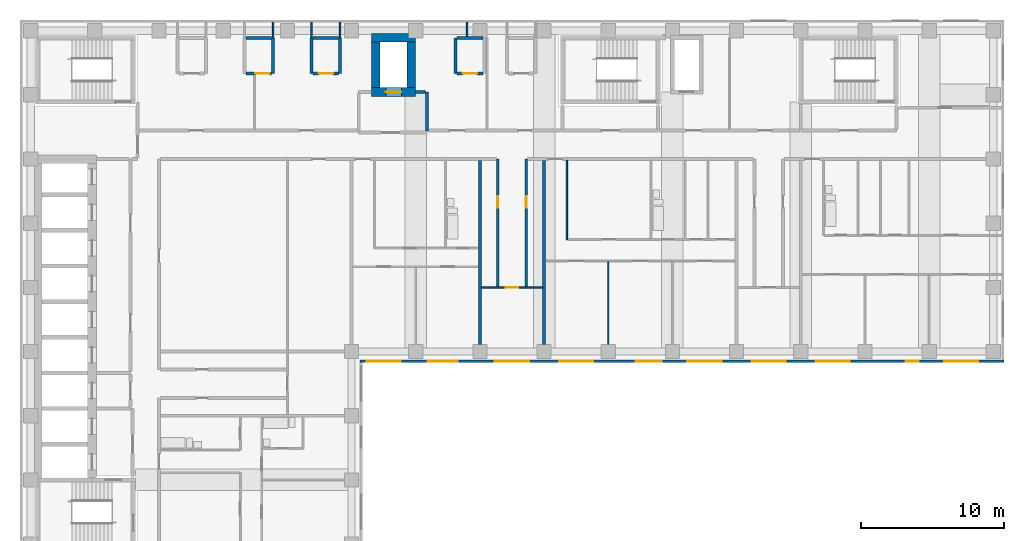
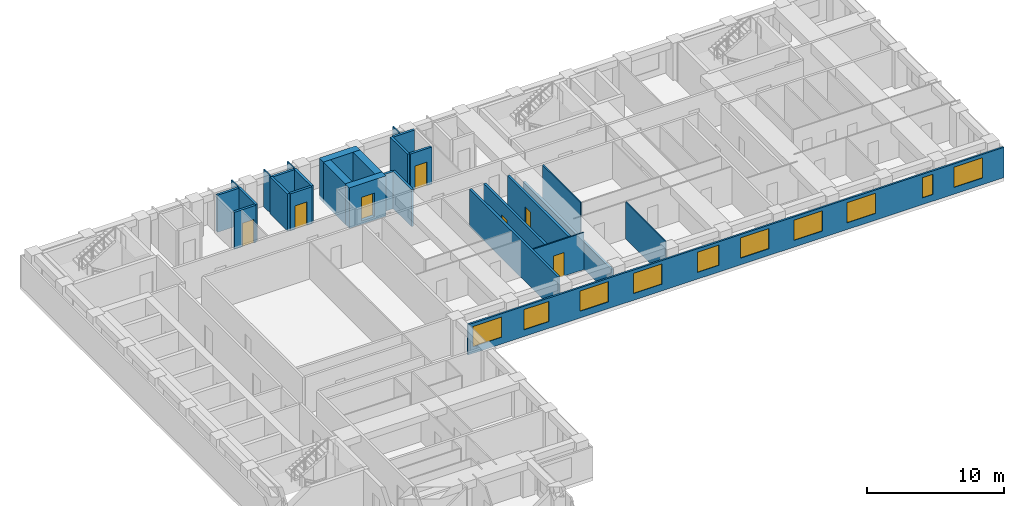
# One storey, part 6 of 12: 28 walls, 10 windows, 7 doors, 17 openings.
"""IFC4 building model written with IfcOpenShell, lengths in metres."""

import ifcopenshell
import ifcopenshell.guid

model = None  # the IFC model being written
_history = None  # IfcOwnerHistory: only IFC2X3 demands one
_inside = {}  # id of a spatial element -> (the spatial element, [elements in it])
_under = {}  # id of a project, library or spatial element -> (it, [spatial elements below it])
_declared = {}  # id of a project -> (the project, [libraries it declares])
_typed = {}  # id of a type object -> (the type object, [elements of that type])
_made_of = {}  # id of a material, layer set ... -> (it, [elements and type objects made of it])


def new_model(schema):
    """Start an empty IFC model of exactly this schema.

    Asked for "IFC4X3", IfcOpenShell would pick the latest addendum, in which some entities
    have other attributes; the version numbers below select the first issue.
    IFC2X3 requires an IfcOwnerHistory on every rooted entity: one is made here for all.
    """
    global model, _history
    if schema == "IFC4X3":
        model = ifcopenshell.file(schema_version=(4, 3, 0, 0))
    else:
        model = ifcopenshell.file(schema=schema)
    _inside.clear()
    _under.clear()
    _declared.clear()
    _typed.clear()
    _made_of.clear()
    _history = None
    if model.schema == "IFC2X3":
        org = make("IfcOrganization", Name="unknown")
        user = make(
            "IfcPersonAndOrganization",
            ThePerson=make("IfcPerson", FamilyName="unknown"),
            TheOrganization=org,
        )
        app = make(
            "IfcApplication",
            ApplicationDeveloper=org,
            Version="unknown",
            ApplicationFullName="unknown",
            ApplicationIdentifier="unknown",
        )
        _history = make(
            "IfcOwnerHistory",
            OwningUser=user,
            OwningApplication=app,
            ChangeAction="ADDED",
            CreationDate=0,
        )
    return model


def make(cls, **values):
    """One entity of the class cls with the attributes given. An attribute that is None is left unset."""
    return model.create_entity(
        cls, **{name: value for name, value in values.items() if value is not None}
    )


def rooted(cls, **values):
    """An entity with a GlobalId (a new one), such as an element, a storey or a relation."""
    return make(cls, GlobalId=ifcopenshell.guid.new(), OwnerHistory=_history, **values)


def si_unit(unit_type, name, prefix=None):
    """IfcSIUnit, for example si_unit("LENGTHUNIT", "METRE", prefix="MILLI")."""
    return make("IfcSIUnit", UnitType=unit_type, Prefix=prefix, Name=name)


def assignment(units):
    """IfcUnitAssignment: the units of a project."""
    return None if units is None else make("IfcUnitAssignment", Units=units)


def point(xyz):
    """IfcCartesianPoint."""
    return None if xyz is None else make("IfcCartesianPoint", Coordinates=xyz)


def direction(xyz):
    """IfcDirection."""
    return None if xyz is None else make("IfcDirection", DirectionRatios=xyz)


def frame(location, z_axis=None, x_axis=None):
    """IfcAxis2Placement3D, a coordinate frame: its origin and axes. An axis left out is left unset."""
    return make(
        "IfcAxis2Placement3D",
        Location=point(location),
        Axis=direction(z_axis),
        RefDirection=direction(x_axis),
    )


def frame_2d(location, x_axis=None):
    """IfcAxis2Placement2D, a coordinate frame in the plane: its origin and x axis."""
    return make(
        "IfcAxis2Placement2D", Location=point(location), RefDirection=direction(x_axis)
    )


def origin():
    """The frame at (0, 0, 0) with its axes left unset."""
    return frame((0.0, 0.0, 0.0))


def place(relative_to, where):
    """IfcLocalPlacement: puts the frame where relative to a parent placement (None: the world)."""
    return make(
        "IfcLocalPlacement", PlacementRelTo=relative_to, RelativePlacement=where
    )


def context(
    kind, dimensions, precision=None, world=None, true_north=None, identifier=None
):
    """IfcGeometricRepresentationContext, for example the 3D "Model" context."""
    return make(
        "IfcGeometricRepresentationContext",
        ContextIdentifier=identifier,
        ContextType=kind,
        CoordinateSpaceDimension=dimensions,
        Precision=precision,
        WorldCoordinateSystem=world,
        TrueNorth=true_north,
    )


def subcontext(parent, identifier, kind, view, scale=None):
    """IfcGeometricRepresentationSubContext, for example "Body" below "Model"."""
    return make(
        "IfcGeometricRepresentationSubContext",
        ContextIdentifier=identifier,
        ContextType=kind,
        ParentContext=parent,
        TargetScale=scale,
        TargetView=view,
    )


def project(units=None, contexts=None):
    """IfcProject with its units and contexts."""
    return rooted(
        "IfcProject",
        Name="project",
        RepresentationContexts=contexts,
        UnitsInContext=assignment(units),
    )


def spatial(cls, under=None, at=None, **own):
    """A site, building, storey or space (cls), placed at a placement, below another one or the project."""
    s = rooted(cls, ObjectPlacement=at, **own)
    if under is not None:
        _under.setdefault(under.id(), (under, []))[1].append(s)
    return s


def profile(cls, at=None, kind="AREA", **sizes):
    """A parametric profile (cls). Its sizes go by their IFC names, for example OverallWidth=200.0."""
    return make(cls, ProfileType=kind, Position=at, **sizes)


def rectangle(**sizes):
    """IfcRectangleProfileDef."""
    return profile("IfcRectangleProfileDef", **sizes)


def extrude(swept, where, along, depth):
    """IfcExtrudedAreaSolid: the profile swept, set in the frame where, extruded along a direction by depth."""
    return make(
        "IfcExtrudedAreaSolid",
        SweptArea=swept,
        Position=where,
        ExtrudedDirection=direction(along),
        Depth=depth,
    )


def shape(context_of_items, identifier, shape_type, items):
    """IfcShapeRepresentation: the items that make up one representation, for example the "Body"."""
    return make(
        "IfcShapeRepresentation",
        ContextOfItems=context_of_items,
        RepresentationIdentifier=identifier,
        RepresentationType=shape_type,
        Items=items,
    )


def material(Name=None, Category=None):
    """IfcMaterial."""
    return make("IfcMaterial", Name=Name, Category=Category)


def layer(
    of_material, thickness, ventilated=None, Name=None, Category=None, Priority=None
):
    """IfcMaterialLayer: one layer of a wall or slab, of a material (None: an air gap)."""
    return make(
        "IfcMaterialLayer",
        Material=of_material,
        LayerThickness=thickness,
        IsVentilated=ventilated,
        Name=Name,
        Category=Category,
        Priority=Priority,
    )


def layer_set(layers, Name=None):
    """IfcMaterialLayerSet."""
    return make("IfcMaterialLayerSet", MaterialLayers=layers, LayerSetName=Name)


def made_of(thing, what):
    """Note that an element or type object is made of a material, layer set ...; save() writes the relation."""
    if what is not None:
        _made_of.setdefault(what.id(), (what, []))[1].append(thing)
    return thing


def type_object(cls, material=None, **own):
    """A type object (cls), such as IfcWallType, which elements share."""
    return made_of(rooted(cls, **own), material)


def element(
    cls,
    number,
    at=None,
    inside=None,
    cuts=None,
    type_object=None,
    material=None,
    context=None,
    identifier="Body",
    shape_type=None,
    held_by="IfcProductDefinitionShape",
    body=None,
    shapes=None,
    **own,
):
    """One element of the class cls, such as IfcWall. Its Tag is "e" and its number.

    at: its placement. inside: the storey or other place that contains it. cuts: it is an
    opening in that element (IfcRelVoidsElement). A single representation is given by context,
    identifier, shape_type and body (its items); several are given by shapes. held_by: the class
    of the entity that holds the representations. save() writes the other relations.
    """
    e = rooted(cls, Tag="e%d" % number, ObjectPlacement=at, **own)
    if body is not None:
        shapes = [shape(context, identifier, shape_type, body)]
    if shapes is not None:
        e.Representation = make(held_by, Representations=shapes)
    if inside is not None:
        _inside.setdefault(inside.id(), (inside, []))[1].append(e)
    if cuts is not None:
        rooted(
            "IfcRelVoidsElement", RelatingBuildingElement=cuts, RelatedOpeningElement=e
        )
    if type_object is not None:
        _typed.setdefault(type_object.id(), (type_object, []))[1].append(e)
    return made_of(e, material)


def fill(opening, filler):
    """IfcRelFillsElement: the door or window that sits in an opening."""
    return rooted(
        "IfcRelFillsElement",
        RelatingOpeningElement=opening,
        RelatedBuildingElement=filler,
    )


def aggregate(whole, parts):
    """IfcRelAggregates: a whole, such as a stair, and the parts it consists of."""
    return rooted("IfcRelAggregates", RelatingObject=whole, RelatedObjects=parts)


def save(model, path):
    """Write the relations noted so far, then the file.

    IfcRelAggregates (storeys below a building ...), IfcRelContainedInSpatialStructure (elements
    in a storey), IfcRelDefinesByType, IfcRelAssociatesMaterial and IfcRelDeclares: one each for
    every whole, place, type object, material and project.
    """
    for whole, parts in _under.values():
        aggregate(whole, parts)
    for where, things in _inside.values():
        rooted(
            "IfcRelContainedInSpatialStructure",
            RelatedElements=things,
            RelatingStructure=where,
        )
    for kind, things in _typed.values():
        rooted("IfcRelDefinesByType", RelatedObjects=things, RelatingType=kind)
    for what, things in _made_of.values():
        rooted("IfcRelAssociatesMaterial", RelatedObjects=things, RelatingMaterial=what)
    for by, libraries in _declared.values():
        rooted("IfcRelDeclares", RelatingContext=by, RelatedDefinitions=libraries)
    model.write(path)


model = new_model("IFC4")

# Units and contexts
model_context = context("Model", 3, precision=1e-05, world=origin(), true_north=direction((0.0, 1.0)))
body_context = subcontext(model_context, "Body", "Model", "MODEL_VIEW")
ifc_project = project(units=[si_unit("LENGTHUNIT", "METRE"), si_unit("AREAUNIT", "SQUARE_METRE"), si_unit("VOLUMEUNIT", "CUBIC_METRE"), si_unit("PLANEANGLEUNIT", "RADIAN"), si_unit("MASSUNIT", "GRAM", prefix="KILO")], contexts=[model_context])

# Site, building, storey
site_placement = place(None, origin())
site = spatial("IfcSite", under=ifc_project, at=site_placement, CompositionType="ELEMENT")
building_placement = place(site_placement, origin())
building = spatial("IfcBuilding", under=site, at=building_placement, Name="Firuza Court", CompositionType="ELEMENT")
storey_placement = place(building_placement, frame((0.0, 0.0, 152.0)))
storey = spatial("IfcBuildingStorey", under=building, at=storey_placement, Name="L38", CompositionType="ELEMENT", Elevation=152.0)

# Wall, opening, door
ifc_material_1 = material(Name="Concrete C60/75", Category="concrete")
ifc_layer_1 = layer(ifc_material_1, 0.60009765625)
ifc_layer_set_1 = layer_set([ifc_layer_1], Name="Concrete C60/75")
wall_type_1 = type_object("IfcWallType", Name="Core wall 600 C60/75", PredefinedType="SHEAR", material=ifc_layer_set_1)
wall_1_placement = place(storey_placement, frame((23.89990234375, 54.199951171875, -0.300048828125), z_axis=(0.0, 0.0, 1.0), x_axis=(1.0, 0.0, 0.0)))
wall_1 = element("IfcWall", 1, at=wall_1_placement, inside=storey, type_object=wall_type_1, Name="Core wall lift shaft L38", PredefinedType="SHEAR", context=body_context, shape_type="SweptSolid", body=[
    extrude(rectangle(XDim=3.10009765625, YDim=0.60009765625, at=frame_2d((1.550048828125, 0.0))), origin(), (0.0, 0.0, 1.0), 3.60009765625),
])
opening_1_placement = place(wall_1_placement, frame((1.0, 0.0, 0.300048828125)))
opening_1 = element("IfcOpeningElement", 2, at=opening_1_placement, cuts=wall_1, Name="Opening LD-FL3-38", PredefinedType="OPENING", context=body_context, shape_type="SweptSolid", body=[
    extrude(rectangle(XDim=1.10009765625, YDim=2.10009765625, at=frame_2d((0.550048828125, 1.050048828125))), frame((0.0, 0.31201171875, 0.0), z_axis=(0.0, -1.0, 0.0), x_axis=(1.0, 0.0, 0.0)), (0.0, 0.0, 1.0), 0.6240234375),
])
ifc_material_2 = material(Name="Stainless steel 1.4301 door leaf", Category="steel")
door_type_1 = type_object("IfcDoorType", Name="Lift landing door 1100", OperationType="SLIDING_TO_LEFT", PredefinedType="DOOR", material=ifc_material_2)
door_1_placement = place(opening_1_placement, origin())
door_1 = element("IfcDoor", 3, at=door_1_placement, inside=storey, type_object=door_type_1, Name="Landing door FL3", OperationType="SLIDING_TO_LEFT", OverallHeight=2.10009765625, OverallWidth=1.10009765625, PredefinedType="DOOR", context=body_context, shape_type="SweptSolid", body=[
    extrude(rectangle(XDim=1.10009765625, YDim=2.10009765625, at=frame_2d((0.550048828125, 1.050048828125))), frame((0.0, 0.02490234375, 0.0), z_axis=(0.0, -1.0, 0.0), x_axis=(1.0, 0.0, 0.0)), (0.0, 0.0, 1.0), 0.050048828125),
])
fill(opening_1, door_1)

# Walls
wall_2_placement = place(storey_placement, frame((23.89990234375, 58.0, -0.300048828125), z_axis=(0.0, 0.0, 1.0), x_axis=(1.0, 0.0, 0.0)))
element("IfcWall", 4, at=wall_2_placement, inside=storey, type_object=wall_type_1, Name="Core wall lift shaft L38", PredefinedType="SHEAR", context=body_context, shape_type="SweptSolid", body=[
    extrude(rectangle(XDim=3.10009765625, YDim=0.60009765625, at=frame_2d((1.550048828125, 0.0))), origin(), (0.0, 0.0, 1.0), 3.60009765625),
])
for number, where, z_axis, x_axis, name in (
    (5, (24.199951171875, 54.5, -0.300048828125), (0.0, 0.0, 1.0), (0.0, 1.0, 0.0), "Core wall lift shaft L38"),
    (6, (26.699951171875, 54.5, -0.300048828125), (0.0, 0.0, 1.0), (0.0, 1.0, 0.0), "Core wall lift shaft L38"),
):
    element("IfcWall", number, at=place(storey_placement, frame(where, z_axis=z_axis, x_axis=x_axis)), inside=storey, type_object=wall_type_1, Name=name, PredefinedType="SHEAR", context=body_context, shape_type="SweptSolid", body=[
        extrude(rectangle(XDim=3.199951171875, YDim=0.60009765625, at=frame_2d((1.60009765625, 0.0))), origin(), (0.0, 0.0, 1.0), 3.60009765625),
    ])

# Wall, opening, door
ifc_material_3 = material(Name="Blockwork, plastered both sides", Category="masonry")
ifc_layer_2 = layer(ifc_material_3, 0.199951171875)
ifc_layer_set_2 = layer_set([ifc_layer_2], Name="Blockwork, plastered both sides")
wall_type_2 = type_object("IfcWallType", Name="Corridor wall 200", PredefinedType="PARTITIONING", material=ifc_layer_set_2)
wall_3_placement = place(storey_placement, frame((32.75, 40.550048828125, 0.0), z_axis=(0.0, 0.0, 1.0), x_axis=(0.0, 1.0, 0.0)))
wall_3 = element("IfcWall", 7, at=wall_3_placement, inside=storey, type_object=wall_type_2, Name="Corridor wall 200 L38", PredefinedType="PARTITIONING", context=body_context, shape_type="SweptSolid", body=[
    extrude(rectangle(XDim=8.949951171875, YDim=0.199951171875, at=frame_2d((4.47509765625, 0.0))), origin(), (0.0, 0.0, 1.0), 3.300048828125),
])
opening_2_placement = place(wall_3_placement, frame((5.550048828125, 0.0, 0.0)))
opening_2 = element("IfcOpeningElement", 8, at=opening_2_placement, cuts=wall_3, Name="Opening D38044", PredefinedType="OPENING", context=body_context, shape_type="SweptSolid", body=[
    extrude(rectangle(XDim=0.800048828125, YDim=2.10009765625, at=frame_2d((0.39990234375, 1.050048828125))), frame((0.0, 0.11181640625, 0.0), z_axis=(0.0, -1.0, 0.0), x_axis=(1.0, 0.0, 0.0)), (0.0, 0.0, 1.0), 0.223876953125),
])
ifc_material_4 = material(Name="Timber door leaf in hardwood frame", Category="wood")
door_type_2 = type_object("IfcDoorType", Name="Room door 800 EI 30", OperationType="SINGLE_SWING_LEFT", PredefinedType="DOOR", material=ifc_material_4)
door_2_placement = place(opening_2_placement, origin())
door_2 = element("IfcDoor", 9, at=door_2_placement, inside=storey, type_object=door_type_2, Name="Store door", OperationType="SINGLE_SWING_RIGHT", OverallHeight=2.10009765625, OverallWidth=0.800048828125, PredefinedType="DOOR", context=body_context, shape_type="SweptSolid", body=[
    extrude(rectangle(XDim=0.800048828125, YDim=2.10009765625, at=frame_2d((0.39990234375, 1.050048828125))), frame((0.0, 0.02490234375, 0.0), z_axis=(0.0, -1.0, 0.0), x_axis=(1.0, 0.0, 0.0)), (0.0, 0.0, 1.0), 0.050048828125),
])
fill(opening_2, door_2)

wall_4_placement = place(storey_placement, frame((34.75, 40.550048828125, 0.0), z_axis=(0.0, 0.0, 1.0), x_axis=(0.0, 1.0, 0.0)))
wall_4 = element("IfcWall", 10, at=wall_4_placement, inside=storey, type_object=wall_type_2, Name="Corridor wall 200 L38", PredefinedType="PARTITIONING", context=body_context, shape_type="SweptSolid", body=[
    extrude(rectangle(XDim=8.949951171875, YDim=0.199951171875, at=frame_2d((4.47509765625, 0.0))), origin(), (0.0, 0.0, 1.0), 3.300048828125),
])
opening_3_placement = place(wall_4_placement, frame((5.550048828125, 0.0, 0.0)))
opening_3 = element("IfcOpeningElement", 11, at=opening_3_placement, cuts=wall_4, Name="Opening D38045", PredefinedType="OPENING", context=body_context, shape_type="SweptSolid", body=[
    extrude(rectangle(XDim=0.800048828125, YDim=2.10009765625, at=frame_2d((0.39990234375, 1.050048828125))), frame((0.0, 0.11181640625, 0.0), z_axis=(0.0, -1.0, 0.0), x_axis=(1.0, 0.0, 0.0)), (0.0, 0.0, 1.0), 0.223876953125),
])
door_3_placement = place(opening_3_placement, frame((0.800048828125, 0.0, 0.0), z_axis=(0.0, 0.0, 1.0), x_axis=(-1.0, 0.0, 0.0)))
door_3 = element("IfcDoor", 12, at=door_3_placement, inside=storey, type_object=door_type_2, Name="Store door", OperationType="SINGLE_SWING_LEFT", OverallHeight=2.10009765625, OverallWidth=0.800048828125, PredefinedType="DOOR", context=body_context, shape_type="SweptSolid", body=[
    extrude(rectangle(XDim=0.800048828125, YDim=2.10009765625, at=frame_2d((0.39990234375, 1.050048828125))), frame((0.0, 0.02490234375, 0.0), z_axis=(0.0, -1.0, 0.0), x_axis=(1.0, 0.0, 0.0)), (0.0, 0.0, 1.0), 0.050048828125),
])
fill(opening_3, door_3)

# Wall
ifc_material_5 = material(Name="Timber stud partition, plasterboard both sides", Category="wood")
ifc_layer_3 = layer(ifc_material_5, 0.10009765625)
ifc_layer_set_3 = layer_set([ifc_layer_3], Name="Timber stud partition, plasterboard both sides")
wall_type_3 = type_object("IfcWallType", Name="Partition wall 100", PredefinedType="PARTITIONING", material=ifc_layer_set_3)
wall_5_placement = place(storey_placement, frame((40.5, 36.5, 0.0), z_axis=(0.0, 0.0, 1.0), x_axis=(0.0, 1.0, 0.0)))
element("IfcWall", 13, at=wall_5_placement, inside=storey, type_object=wall_type_3, Name="Partition wall 100 L38", PredefinedType="PARTITIONING", context=body_context, shape_type="SweptSolid", body=[
    extrude(rectangle(XDim=5.800048828125, YDim=0.10009765625, at=frame_2d((2.89990234375, 0.0))), origin(), (0.0, 0.0, 1.0), 3.300048828125),
])

# Wall, opening, door
wall_6_placement = place(storey_placement, frame((31.60009765625, 40.5, 0.0), z_axis=(0.0, 0.0, 1.0), x_axis=(1.0, 0.0, 0.0)))
wall_6 = element("IfcWall", 14, at=wall_6_placement, inside=storey, type_object=wall_type_3, Name="Partition wall 100 L38", PredefinedType="PARTITIONING", context=body_context, shape_type="SweptSolid", body=[
    extrude(rectangle(XDim=4.2998046875, YDim=0.10009765625, at=frame_2d((2.14990234375, 0.0))), origin(), (0.0, 0.0, 1.0), 3.300048828125),
])
opening_4_placement = place(wall_6_placement, frame((1.699951171875, 0.0, 0.0)))
opening_4 = element("IfcOpeningElement", 15, at=opening_4_placement, cuts=wall_6, Name="Opening D38042", PredefinedType="OPENING", context=body_context, shape_type="SweptSolid", body=[
    extrude(rectangle(XDim=0.89990234375, YDim=2.10009765625, at=frame_2d((0.449951171875, 1.050048828125))), frame((0.0, 0.06201171875, 0.0), z_axis=(0.0, -1.0, 0.0), x_axis=(1.0, 0.0, 0.0)), (0.0, 0.0, 1.0), 0.1240234375),
])
ifc_material_6 = material(Name="Timber door leaf in hardwood frame", Category="wood")
door_type_3 = type_object("IfcDoorType", Name="Room door 900", OperationType="SINGLE_SWING_LEFT", PredefinedType="DOOR", material=ifc_material_6)
door_4_placement = place(opening_4_placement, origin())
door_4 = element("IfcDoor", 16, at=door_4_placement, inside=storey, type_object=door_type_3, Name="Games lounge door", OperationType="SINGLE_SWING_LEFT", OverallHeight=2.10009765625, OverallWidth=0.89990234375, PredefinedType="DOOR", context=body_context, shape_type="SweptSolid", body=[
    extrude(rectangle(XDim=0.89990234375, YDim=2.10009765625, at=frame_2d((0.449951171875, 1.050048828125))), frame((0.0, 0.02490234375, 0.0), z_axis=(0.0, -1.0, 0.0), x_axis=(1.0, 0.0, 0.0)), (0.0, 0.0, 1.0), 0.050048828125),
])
fill(opening_4, door_4)

# Walls
wall_7_placement = place(storey_placement, frame((37.60009765625, 43.85009765625, 0.0), z_axis=(0.0, 0.0, 1.0), x_axis=(0.0, 1.0, 0.0)))
element("IfcWall", 17, at=wall_7_placement, inside=storey, type_object=wall_type_3, Name="Partition wall 100 L38", PredefinedType="PARTITIONING", context=body_context, shape_type="SweptSolid", body=[
    extrude(rectangle(XDim=5.5498046875, YDim=0.10009765625, at=frame_2d((2.77490234375, 0.0))), origin(), (0.0, 0.0, 1.0), 3.300048828125),
])
for number, where, z_axis, x_axis, name in (
    (18, (17.0, 58.0, 0.0), (0.0, 0.0, 1.0), (0.0, 1.0, 0.0), "Partition wall 100 L38"),
    (19, (19.699951171875, 58.0, 0.0), (0.0, 0.0, 1.0), (0.0, 1.0, 0.0), "Partition wall 100 L38"),
    (20, (21.699951171875, 58.0, 0.0), (0.0, 0.0, 1.0), (0.0, 1.0, 0.0), "Partition wall 100 L38"),
):
    element("IfcWall", number, at=place(storey_placement, frame(where, z_axis=z_axis, x_axis=x_axis)), inside=storey, type_object=wall_type_3, Name=name, PredefinedType="PARTITIONING", context=body_context, shape_type="SweptSolid", body=[
        extrude(rectangle(XDim=1.10009765625, YDim=0.10009765625, at=frame_2d((0.550048828125, 0.0))), origin(), (0.0, 0.0, 1.0), 3.300048828125),
    ])
wall_8_placement = place(storey_placement, frame((30.60009765625, 58.10009765625, 0.0), z_axis=(0.0, 0.0, 1.0), x_axis=(0.0, 1.0, 0.0)))
element("IfcWall", 21, at=wall_8_placement, inside=storey, type_object=wall_type_3, Name="Partition wall 100 L38", PredefinedType="PARTITIONING", context=body_context, shape_type="SweptSolid", body=[
    extrude(rectangle(XDim=1.0, YDim=0.10009765625, at=frame_2d((0.5, 0.0))), origin(), (0.0, 0.0, 1.0), 3.300048828125),
])
ifc_layer_4 = layer(ifc_material_3, 0.199951171875)
ifc_layer_set_4 = layer_set([ifc_layer_4], Name="Blockwork, plastered both sides")
wall_type_4 = type_object("IfcWallType", Name="Party wall 200", PredefinedType="PARTITIONING", material=ifc_layer_set_4)
wall_9_placement = place(storey_placement, frame((31.5, 36.5, 0.0), z_axis=(0.0, 0.0, 1.0), x_axis=(0.0, 1.0, 0.0)))
element("IfcWall", 22, at=wall_9_placement, inside=storey, type_object=wall_type_4, Name="Party wall 200 L38", PredefinedType="PARTITIONING", context=body_context, shape_type="SweptSolid", body=[
    extrude(rectangle(XDim=12.89990234375, YDim=0.199951171875, at=frame_2d((6.449951171875, 0.0))), origin(), (0.0, 0.0, 1.0), 3.300048828125),
])
wall_10_placement = place(storey_placement, frame((36.0, 36.5, 0.0), z_axis=(0.0, 0.0, 1.0), x_axis=(0.0, 1.0, 0.0)))
element("IfcWall", 23, at=wall_10_placement, inside=storey, type_object=wall_type_4, Name="Party wall 200 L38", PredefinedType="PARTITIONING", context=body_context, shape_type="SweptSolid", body=[
    extrude(rectangle(XDim=12.89990234375, YDim=0.199951171875, at=frame_2d((6.449951171875, 0.0))), origin(), (0.0, 0.0, 1.0), 2.39990234375),
])

# Wall, opening, door
ifc_material_7 = material(Name="Blockwork, fire-rated", Category="masonry")
ifc_layer_5 = layer(ifc_material_7, 0.199951171875)
ifc_layer_set_5 = layer_set([ifc_layer_5], Name="Blockwork, fire-rated")
wall_type_5 = type_object("IfcWallType", Name="Plant room wall 200", PredefinedType="PARTITIONING", material=ifc_layer_set_5)
wall_11_placement = place(storey_placement, frame((15.10009765625, 55.5, 0.0), z_axis=(0.0, 0.0, 1.0), x_axis=(1.0, 0.0, 0.0)))
wall_11 = element("IfcWall", 24, at=wall_11_placement, inside=storey, type_object=wall_type_5, Name="Plant room wall 200 L38", PredefinedType="PARTITIONING", context=body_context, shape_type="SweptSolid", body=[
    extrude(rectangle(XDim=1.7998046875, YDim=0.199951171875, at=frame_2d((0.89990234375, 0.0))), origin(), (0.0, 0.0, 1.0), 3.300048828125),
])
opening_5_placement = place(wall_11_placement, frame((0.64990234375, 0.0, 0.0)))
opening_5 = element("IfcOpeningElement", 25, at=opening_5_placement, cuts=wall_11, Name="Opening D38078", PredefinedType="OPENING", context=body_context, shape_type="SweptSolid", body=[
    extrude(rectangle(XDim=1.0, YDim=2.10009765625, at=frame_2d((0.5, 1.050048828125))), frame((0.0, 0.11181640625, 0.0), z_axis=(0.0, -1.0, 0.0), x_axis=(1.0, 0.0, 0.0)), (0.0, 0.0, 1.0), 0.223876953125),
])
ifc_material_8 = material(Name="Timber door leaf in hardwood frame", Category="wood")
door_type_4 = type_object("IfcDoorType", Name="Riser door 1000", OperationType="SINGLE_SWING_LEFT", PredefinedType="DOOR", material=ifc_material_8)
door_5_placement = place(opening_5_placement, origin())
door_5 = element("IfcDoor", 26, at=door_5_placement, inside=storey, type_object=door_type_4, Name="Electrical riser door", OperationType="SINGLE_SWING_RIGHT", OverallHeight=2.10009765625, OverallWidth=1.0, PredefinedType="DOOR", context=body_context, shape_type="SweptSolid", body=[
    extrude(rectangle(XDim=1.0, YDim=2.10009765625, at=frame_2d((0.5, 1.050048828125))), frame((0.0, 0.02490234375, 0.0), z_axis=(0.0, -1.0, 0.0), x_axis=(1.0, 0.0, 0.0)), (0.0, 0.0, 1.0), 0.050048828125),
])
fill(opening_5, door_5)

# Walls
for number, where, z_axis, x_axis, name in (
    (27, (17.0, 55.5, 0.0), (0.0, 0.0, 1.0), (0.0, 1.0, 0.0), "Plant room wall 200 L38"),
    (28, (19.699951171875, 55.5, 0.0), (0.0, 0.0, 1.0), (0.0, 1.0, 0.0), "Plant room wall 200 L38"),
):
    element("IfcWall", number, at=place(storey_placement, frame(where, z_axis=z_axis, x_axis=x_axis)), inside=storey, type_object=wall_type_5, Name=name, PredefinedType="PARTITIONING", context=body_context, shape_type="SweptSolid", body=[
        extrude(rectangle(XDim=2.5, YDim=0.199951171875, at=frame_2d((1.25, 0.0))), origin(), (0.0, 0.0, 1.0), 3.300048828125),
    ])

# Wall, opening, door
wall_12_placement = place(storey_placement, frame((19.800048828125, 55.5, 0.0), z_axis=(0.0, 0.0, 1.0), x_axis=(1.0, 0.0, 0.0)))
wall_12 = element("IfcWall", 29, at=wall_12_placement, inside=storey, type_object=wall_type_5, Name="Plant room wall 200 L38", PredefinedType="PARTITIONING", context=body_context, shape_type="SweptSolid", body=[
    extrude(rectangle(XDim=1.800048828125, YDim=0.199951171875, at=frame_2d((0.89990234375, 0.0))), origin(), (0.0, 0.0, 1.0), 3.300048828125),
])
opening_6_placement = place(wall_12_placement, frame((0.39990234375, 0.0, 0.0)))
opening_6 = element("IfcOpeningElement", 30, at=opening_6_placement, cuts=wall_12, Name="Opening D38079", PredefinedType="OPENING", context=body_context, shape_type="SweptSolid", body=[
    extrude(rectangle(XDim=1.0, YDim=2.10009765625, at=frame_2d((0.5, 1.050048828125))), frame((0.0, 0.11181640625, 0.0), z_axis=(0.0, -1.0, 0.0), x_axis=(1.0, 0.0, 0.0)), (0.0, 0.0, 1.0), 0.223876953125),
])
door_6_placement = place(opening_6_placement, origin())
door_6 = element("IfcDoor", 31, at=door_6_placement, inside=storey, type_object=door_type_4, Name="Duct riser door", OperationType="SINGLE_SWING_LEFT", OverallHeight=2.10009765625, OverallWidth=1.0, PredefinedType="DOOR", context=body_context, shape_type="SweptSolid", body=[
    extrude(rectangle(XDim=1.0, YDim=2.10009765625, at=frame_2d((0.5, 1.050048828125))), frame((0.0, 0.02490234375, 0.0), z_axis=(0.0, -1.0, 0.0), x_axis=(1.0, 0.0, 0.0)), (0.0, 0.0, 1.0), 0.050048828125),
])
fill(opening_6, door_6)

# Walls
for number, where, z_axis, x_axis, name in (
    (32, (21.699951171875, 55.5, 0.0), (0.0, 0.0, 1.0), (0.0, 1.0, 0.0), "Plant room wall 200 L38"),
    (33, (29.800048828125, 55.5, 0.0), (0.0, 0.0, 1.0), (0.0, 1.0, 0.0), "Plant room wall 200 L38"),
):
    element("IfcWall", number, at=place(storey_placement, frame(where, z_axis=z_axis, x_axis=x_axis)), inside=storey, type_object=wall_type_5, Name=name, PredefinedType="PARTITIONING", context=body_context, shape_type="SweptSolid", body=[
        extrude(rectangle(XDim=2.5, YDim=0.199951171875, at=frame_2d((1.25, 0.0))), origin(), (0.0, 0.0, 1.0), 3.300048828125),
    ])

# Wall, opening, door
wall_13_placement = place(storey_placement, frame((29.89990234375, 55.5, 0.0), z_axis=(0.0, 0.0, 1.0), x_axis=(1.0, 0.0, 0.0)))
wall_13 = element("IfcWall", 34, at=wall_13_placement, inside=storey, type_object=wall_type_5, Name="Plant room wall 200 L38", PredefinedType="PARTITIONING", context=body_context, shape_type="SweptSolid", body=[
    extrude(rectangle(XDim=1.800048828125, YDim=0.199951171875, at=frame_2d((0.89990234375, 0.0))), origin(), (0.0, 0.0, 1.0), 3.300048828125),
])
opening_7_placement = place(wall_13_placement, frame((0.39990234375, 0.0, 0.0)))
opening_7 = element("IfcOpeningElement", 35, at=opening_7_placement, cuts=wall_13, Name="Opening D38080", PredefinedType="OPENING", context=body_context, shape_type="SweptSolid", body=[
    extrude(rectangle(XDim=1.0, YDim=2.10009765625, at=frame_2d((0.5, 1.050048828125))), frame((0.0, 0.11181640625, 0.0), z_axis=(0.0, -1.0, 0.0), x_axis=(1.0, 0.0, 0.0)), (0.0, 0.0, 1.0), 0.223876953125),
])
door_7_placement = place(opening_7_placement, origin())
door_7 = element("IfcDoor", 36, at=door_7_placement, inside=storey, type_object=door_type_4, Name="Electrical riser door", OperationType="SINGLE_SWING_LEFT", OverallHeight=2.10009765625, OverallWidth=1.0, PredefinedType="DOOR", context=body_context, shape_type="SweptSolid", body=[
    extrude(rectangle(XDim=1.0, YDim=2.10009765625, at=frame_2d((0.5, 1.050048828125))), frame((0.0, 0.02490234375, 0.0), z_axis=(0.0, -1.0, 0.0), x_axis=(1.0, 0.0, 0.0)), (0.0, 0.0, 1.0), 0.050048828125),
])
fill(opening_7, door_7)

# Walls
wall_14_placement = place(storey_placement, frame((15.10009765625, 58.0, 0.0), z_axis=(0.0, 0.0, 1.0), x_axis=(1.0, 0.0, 0.0)))
element("IfcWall", 37, at=wall_14_placement, inside=storey, type_object=wall_type_5, Name="Plant room wall 200 L38", PredefinedType="PARTITIONING", context=body_context, shape_type="SweptSolid", body=[
    extrude(rectangle(XDim=1.7998046875, YDim=0.199951171875, at=frame_2d((0.89990234375, 0.0))), origin(), (0.0, 0.0, 1.0), 3.300048828125),
])
for number, where, z_axis, x_axis, name in (
    (38, (19.800048828125, 58.0, 0.0), (0.0, 0.0, 1.0), (1.0, 0.0, 0.0), "Plant room wall 200 L38"),
    (39, (29.89990234375, 58.0, 0.0), (0.0, 0.0, 1.0), (1.0, 0.0, 0.0), "Plant room wall 200 L38"),
):
    element("IfcWall", number, at=place(storey_placement, frame(where, z_axis=z_axis, x_axis=x_axis)), inside=storey, type_object=wall_type_5, Name=name, PredefinedType="PARTITIONING", context=body_context, shape_type="SweptSolid", body=[
        extrude(rectangle(XDim=1.800048828125, YDim=0.199951171875, at=frame_2d((0.89990234375, 0.0))), origin(), (0.0, 0.0, 1.0), 3.300048828125),
    ])

# Wall, openings, windows
ifc_material_9 = material(Name="Ceramic tile", Category="ceramic")
ifc_layer_6 = layer(ifc_material_9, 0.02001953125)
ifc_material_10 = material(Name="Mineral wool insulation", Category="insulation")
ifc_layer_7 = layer(ifc_material_10, 0.050048828125)
ifc_material_11 = material(Name="Concrete C40/50 precast", Category="concrete")
ifc_layer_8 = layer(ifc_material_11, 0.080078125)
ifc_layer_set_6 = layer_set([ifc_layer_6, ifc_layer_7, ifc_layer_8], Name="Concrete C40/50 precast")
wall_type_6 = type_object("IfcWallType", Name="Precast cladding wall with turquoise TILE PANEL face 150", PredefinedType="STANDARD", material=ifc_layer_set_6)
wall_15_placement = place(storey_placement, frame((23.10009765625, 35.324951171875, 0.0), z_axis=(0.0, 0.0, 1.0), x_axis=(1.0, 0.0, 0.0)))
wall_15 = element("IfcWall", 40, at=wall_15_placement, inside=storey, type_object=wall_type_6, Name="Facade wall L38 S", PredefinedType="STANDARD", context=body_context, shape_type="SweptSolid", body=[
    extrude(rectangle(XDim=45.14990234375, YDim=0.14990234375, at=frame_2d((22.574951171875, 0.0))), origin(), (0.0, 0.0, 1.0), 2.699951171875),
])
opening_8_placement = place(wall_15_placement, frame((0.449951171875, 0.0, 0.60009765625)))
opening_8 = element("IfcOpeningElement", 41, at=opening_8_placement, cuts=wall_15, Name="Opening W1", PredefinedType="OPENING", context=body_context, shape_type="SweptSolid", body=[
    extrude(rectangle(XDim=2.39990234375, YDim=1.800048828125, at=frame_2d((1.199951171875, 0.89990234375))), frame((0.0, 0.0869140625, 0.0), z_axis=(0.0, -1.0, 0.0), x_axis=(1.0, 0.0, 0.0)), (0.0, 0.0, 1.0), 0.173828125),
])
opening_9_placement = place(wall_15_placement, frame((4.738037109375, 0.0, 0.60009765625)))
opening_9 = element("IfcOpeningElement", 42, at=opening_9_placement, cuts=wall_15, Name="Opening W6", PredefinedType="OPENING", context=body_context, shape_type="SweptSolid", body=[
    extrude(rectangle(XDim=2.10009765625, YDim=1.800048828125, at=frame_2d((1.050048828125, 0.89990234375))), frame((0.0, 0.0869140625, 0.0), z_axis=(0.0, -1.0, 0.0), x_axis=(1.0, 0.0, 0.0)), (0.0, 0.0, 1.0), 0.173828125),
])
opening_10_placement = place(wall_15_placement, frame((9.449951171875, 0.0, 0.60009765625)))
opening_10 = element("IfcOpeningElement", 43, at=opening_10_placement, cuts=wall_15, Name="Opening W1", PredefinedType="OPENING", context=body_context, shape_type="SweptSolid", body=[
    extrude(rectangle(XDim=2.39990234375, YDim=1.800048828125, at=frame_2d((1.199951171875, 0.89990234375))), frame((0.0, 0.0869140625, 0.0), z_axis=(0.0, -1.0, 0.0), x_axis=(1.0, 0.0, 0.0)), (0.0, 0.0, 1.0), 0.173828125),
])
opening_11_placement = place(wall_15_placement, frame((13.949951171875, 0.0, 0.60009765625)))
opening_11 = element("IfcOpeningElement", 44, at=opening_11_placement, cuts=wall_15, Name="Opening W1", PredefinedType="OPENING", context=body_context, shape_type="SweptSolid", body=[
    extrude(rectangle(XDim=2.39990234375, YDim=1.800048828125, at=frame_2d((1.199951171875, 0.89990234375))), frame((0.0, 0.0869140625, 0.0), z_axis=(0.0, -1.0, 0.0), x_axis=(1.0, 0.0, 0.0)), (0.0, 0.0, 1.0), 0.173828125),
])
opening_12_placement = place(wall_15_placement, frame((19.34033203125, 0.0, 0.60009765625)))
opening_12 = element("IfcOpeningElement", 45, at=opening_12_placement, cuts=wall_15, Name="Opening W7", PredefinedType="OPENING", context=body_context, shape_type="SweptSolid", body=[
    extrude(rectangle(XDim=1.800048828125, YDim=1.800048828125, at=frame_2d((0.89990234375, 0.89990234375))), frame((0.0, 0.0869140625, 0.0), z_axis=(0.0, -1.0, 0.0), x_axis=(1.0, 0.0, 0.0)), (0.0, 0.0, 1.0), 0.173828125),
])
opening_13_placement = place(wall_15_placement, frame((22.949951171875, 0.0, 0.60009765625)))
opening_13 = element("IfcOpeningElement", 46, at=opening_13_placement, cuts=wall_15, Name="Opening W1", PredefinedType="OPENING", context=body_context, shape_type="SweptSolid", body=[
    extrude(rectangle(XDim=2.39990234375, YDim=1.800048828125, at=frame_2d((1.199951171875, 0.89990234375))), frame((0.0, 0.0869140625, 0.0), z_axis=(0.0, -1.0, 0.0), x_axis=(1.0, 0.0, 0.0)), (0.0, 0.0, 1.0), 0.173828125),
])
opening_14_placement = place(wall_15_placement, frame((27.449951171875, 0.0, 0.60009765625)))
opening_14 = element("IfcOpeningElement", 47, at=opening_14_placement, cuts=wall_15, Name="Opening W1", PredefinedType="OPENING", context=body_context, shape_type="SweptSolid", body=[
    extrude(rectangle(XDim=2.39990234375, YDim=1.800048828125, at=frame_2d((1.199951171875, 0.89990234375))), frame((0.0, 0.0869140625, 0.0), z_axis=(0.0, -1.0, 0.0), x_axis=(1.0, 0.0, 0.0)), (0.0, 0.0, 1.0), 0.173828125),
])
opening_15_placement = place(wall_15_placement, frame((31.949951171875, 0.0, 0.60009765625)))
opening_15 = element("IfcOpeningElement", 48, at=opening_15_placement, cuts=wall_15, Name="Opening W1", PredefinedType="OPENING", context=body_context, shape_type="SweptSolid", body=[
    extrude(rectangle(XDim=2.39990234375, YDim=1.800048828125, at=frame_2d((1.199951171875, 0.89990234375))), frame((0.0, 0.0869140625, 0.0), z_axis=(0.0, -1.0, 0.0), x_axis=(1.0, 0.0, 0.0)), (0.0, 0.0, 1.0), 0.173828125),
])
opening_16_placement = place(wall_15_placement, frame((38.26953125, 0.0, 0.60009765625)))
opening_16 = element("IfcOpeningElement", 49, at=opening_16_placement, cuts=wall_15, Name="Opening W3", PredefinedType="OPENING", context=body_context, shape_type="SweptSolid", body=[
    extrude(rectangle(XDim=0.89990234375, YDim=1.800048828125, at=frame_2d((0.449951171875, 0.89990234375))), frame((0.0, 0.0869140625, 0.0), z_axis=(0.0, -1.0, 0.0), x_axis=(1.0, 0.0, 0.0)), (0.0, 0.0, 1.0), 0.173828125),
])
opening_17_placement = place(wall_15_placement, frame((40.949951171875, 0.0, 0.60009765625)))
opening_17 = element("IfcOpeningElement", 50, at=opening_17_placement, cuts=wall_15, Name="Opening W1", PredefinedType="OPENING", context=body_context, shape_type="SweptSolid", body=[
    extrude(rectangle(XDim=2.39990234375, YDim=1.800048828125, at=frame_2d((1.199951171875, 0.89990234375))), frame((0.0, 0.0869140625, 0.0), z_axis=(0.0, -1.0, 0.0), x_axis=(1.0, 0.0, 0.0)), (0.0, 0.0, 1.0), 0.173828125),
])
ifc_material_12 = material(Name="Aluminium frame, triple clear glazing", Category="aluminium")
window_type_1 = type_object("IfcWindowType", Name="Window W1 2400 x 1800", PartitioningType="SINGLE_PANEL", PredefinedType="WINDOW", material=ifc_material_12)
window_1_placement = place(opening_8_placement, origin())
window_1 = element("IfcWindow", 51, at=window_1_placement, inside=storey, type_object=window_type_1, Name="Window L38", OverallHeight=1.800048828125, OverallWidth=2.39990234375, PartitioningType="SINGLE_PANEL", PredefinedType="WINDOW", context=body_context, shape_type="SweptSolid", body=[
    extrude(rectangle(XDim=2.39990234375, YDim=1.800048828125, at=frame_2d((1.199951171875, 0.89990234375))), frame((0.0, 0.030029296875, 0.0), z_axis=(0.0, -1.0, 0.0), x_axis=(1.0, 0.0, 0.0)), (0.0, 0.0, 1.0), 0.06005859375),
])
fill(opening_8, window_1)
window_2_placement = place(opening_10_placement, origin())
window_2 = element("IfcWindow", 52, at=window_2_placement, inside=storey, type_object=window_type_1, Name="Window L38", OverallHeight=1.800048828125, OverallWidth=2.39990234375, PartitioningType="SINGLE_PANEL", PredefinedType="WINDOW", context=body_context, shape_type="SweptSolid", body=[
    extrude(rectangle(XDim=2.39990234375, YDim=1.800048828125, at=frame_2d((1.199951171875, 0.89990234375))), frame((0.0, 0.030029296875, 0.0), z_axis=(0.0, -1.0, 0.0), x_axis=(1.0, 0.0, 0.0)), (0.0, 0.0, 1.0), 0.06005859375),
])
fill(opening_10, window_2)
window_3_placement = place(opening_11_placement, origin())
window_3 = element("IfcWindow", 53, at=window_3_placement, inside=storey, type_object=window_type_1, Name="Window L38", OverallHeight=1.800048828125, OverallWidth=2.39990234375, PartitioningType="SINGLE_PANEL", PredefinedType="WINDOW", context=body_context, shape_type="SweptSolid", body=[
    extrude(rectangle(XDim=2.39990234375, YDim=1.800048828125, at=frame_2d((1.199951171875, 0.89990234375))), frame((0.0, 0.030029296875, 0.0), z_axis=(0.0, -1.0, 0.0), x_axis=(1.0, 0.0, 0.0)), (0.0, 0.0, 1.0), 0.06005859375),
])
fill(opening_11, window_3)
window_4_placement = place(opening_13_placement, origin())
window_4 = element("IfcWindow", 54, at=window_4_placement, inside=storey, type_object=window_type_1, Name="Window L38", OverallHeight=1.800048828125, OverallWidth=2.39990234375, PartitioningType="SINGLE_PANEL", PredefinedType="WINDOW", context=body_context, shape_type="SweptSolid", body=[
    extrude(rectangle(XDim=2.39990234375, YDim=1.800048828125, at=frame_2d((1.199951171875, 0.89990234375))), frame((0.0, 0.030029296875, 0.0), z_axis=(0.0, -1.0, 0.0), x_axis=(1.0, 0.0, 0.0)), (0.0, 0.0, 1.0), 0.06005859375),
])
fill(opening_13, window_4)
window_5_placement = place(opening_14_placement, origin())
window_5 = element("IfcWindow", 55, at=window_5_placement, inside=storey, type_object=window_type_1, Name="Window L38", OverallHeight=1.800048828125, OverallWidth=2.39990234375, PartitioningType="SINGLE_PANEL", PredefinedType="WINDOW", context=body_context, shape_type="SweptSolid", body=[
    extrude(rectangle(XDim=2.39990234375, YDim=1.800048828125, at=frame_2d((1.199951171875, 0.89990234375))), frame((0.0, 0.030029296875, 0.0), z_axis=(0.0, -1.0, 0.0), x_axis=(1.0, 0.0, 0.0)), (0.0, 0.0, 1.0), 0.06005859375),
])
fill(opening_14, window_5)
window_6_placement = place(opening_15_placement, origin())
window_6 = element("IfcWindow", 56, at=window_6_placement, inside=storey, type_object=window_type_1, Name="Window L38", OverallHeight=1.800048828125, OverallWidth=2.39990234375, PartitioningType="SINGLE_PANEL", PredefinedType="WINDOW", context=body_context, shape_type="SweptSolid", body=[
    extrude(rectangle(XDim=2.39990234375, YDim=1.800048828125, at=frame_2d((1.199951171875, 0.89990234375))), frame((0.0, 0.030029296875, 0.0), z_axis=(0.0, -1.0, 0.0), x_axis=(1.0, 0.0, 0.0)), (0.0, 0.0, 1.0), 0.06005859375),
])
fill(opening_15, window_6)
window_7_placement = place(opening_17_placement, origin())
window_7 = element("IfcWindow", 57, at=window_7_placement, inside=storey, type_object=window_type_1, Name="Window L38", OverallHeight=1.800048828125, OverallWidth=2.39990234375, PartitioningType="SINGLE_PANEL", PredefinedType="WINDOW", context=body_context, shape_type="SweptSolid", body=[
    extrude(rectangle(XDim=2.39990234375, YDim=1.800048828125, at=frame_2d((1.199951171875, 0.89990234375))), frame((0.0, 0.030029296875, 0.0), z_axis=(0.0, -1.0, 0.0), x_axis=(1.0, 0.0, 0.0)), (0.0, 0.0, 1.0), 0.06005859375),
])
fill(opening_17, window_7)
ifc_material_13 = material(Name="Aluminium frame, triple clear glazing", Category="aluminium")
window_type_2 = type_object("IfcWindowType", Name="Window W3 900 x 1800", PartitioningType="SINGLE_PANEL", PredefinedType="WINDOW", material=ifc_material_13)
window_8_placement = place(opening_16_placement, origin())
window_8 = element("IfcWindow", 58, at=window_8_placement, inside=storey, type_object=window_type_2, Name="Window L38", OverallHeight=1.800048828125, OverallWidth=0.89990234375, PartitioningType="SINGLE_PANEL", PredefinedType="WINDOW", context=body_context, shape_type="SweptSolid", body=[
    extrude(rectangle(XDim=0.89990234375, YDim=1.800048828125, at=frame_2d((0.449951171875, 0.89990234375))), frame((0.0, 0.030029296875, 0.0), z_axis=(0.0, -1.0, 0.0), x_axis=(1.0, 0.0, 0.0)), (0.0, 0.0, 1.0), 0.06005859375),
])
fill(opening_16, window_8)
ifc_material_14 = material(Name="Aluminium frame, triple clear glazing", Category="aluminium")
window_type_3 = type_object("IfcWindowType", Name="Window W6 2100 x 1800", PartitioningType="SINGLE_PANEL", PredefinedType="WINDOW", material=ifc_material_14)
window_9_placement = place(opening_9_placement, origin())
window_9 = element("IfcWindow", 59, at=window_9_placement, inside=storey, type_object=window_type_3, Name="Window L38", OverallHeight=1.800048828125, OverallWidth=2.10009765625, PartitioningType="SINGLE_PANEL", PredefinedType="WINDOW", context=body_context, shape_type="SweptSolid", body=[
    extrude(rectangle(XDim=2.10009765625, YDim=1.800048828125, at=frame_2d((1.050048828125, 0.89990234375))), frame((0.0, 0.030029296875, 0.0), z_axis=(0.0, -1.0, 0.0), x_axis=(1.0, 0.0, 0.0)), (0.0, 0.0, 1.0), 0.06005859375),
])
fill(opening_9, window_9)
ifc_material_15 = material(Name="Aluminium frame, triple clear glazing", Category="aluminium")
window_type_4 = type_object("IfcWindowType", Name="Window W7 1800 x 1800", PartitioningType="SINGLE_PANEL", PredefinedType="WINDOW", material=ifc_material_15)
window_10_placement = place(opening_12_placement, origin())
window_10 = element("IfcWindow", 60, at=window_10_placement, inside=storey, type_object=window_type_4, Name="Window L38", OverallHeight=1.800048828125, OverallWidth=1.800048828125, PartitioningType="SINGLE_PANEL", PredefinedType="WINDOW", context=body_context, shape_type="SweptSolid", body=[
    extrude(rectangle(XDim=1.800048828125, YDim=1.800048828125, at=frame_2d((0.89990234375, 0.89990234375))), frame((0.0, 0.030029296875, 0.0), z_axis=(0.0, -1.0, 0.0), x_axis=(1.0, 0.0, 0.0)), (0.0, 0.0, 1.0), 0.06005859375),
])
fill(opening_12, window_10)

# Walls
ifc_layer_9 = layer(ifc_material_7, 0.199951171875)
ifc_layer_set_7 = layer_set([ifc_layer_9], Name="Blockwork, fire-rated")
wall_type_7 = type_object("IfcWallType", Name="Shaft wall 200", PredefinedType="PARTITIONING", material=ifc_layer_set_7)
wall_16_placement = place(storey_placement, frame((27.800048828125, 51.449951171875, 0.0), z_axis=(0.0, 0.0, 1.0), x_axis=(0.0, 1.0, 0.0)))
element("IfcWall", 61, at=wall_16_placement, inside=storey, type_object=wall_type_7, Name="Shaft wall 200 L38", PredefinedType="PARTITIONING", context=body_context, shape_type="SweptSolid", body=[
    extrude(rectangle(XDim=2.75, YDim=0.199951171875, at=frame_2d((1.375, 0.0))), origin(), (0.0, 0.0, 1.0), 3.300048828125),
])
wall_17_placement = place(storey_placement, frame((27.0, 54.199951171875, 0.0), z_axis=(0.0, 0.0, 1.0), x_axis=(1.0, 0.0, 0.0)))
element("IfcWall", 62, at=wall_17_placement, inside=storey, type_object=wall_type_7, Name="Shaft wall 200 L38", PredefinedType="PARTITIONING", context=body_context, shape_type="SweptSolid", body=[
    extrude(rectangle(XDim=0.699951171875, YDim=0.199951171875, at=frame_2d((0.35009765625, 0.0))), origin(), (0.0, 0.0, 1.0), 3.300048828125),
])

save(model, "model.ifc")
